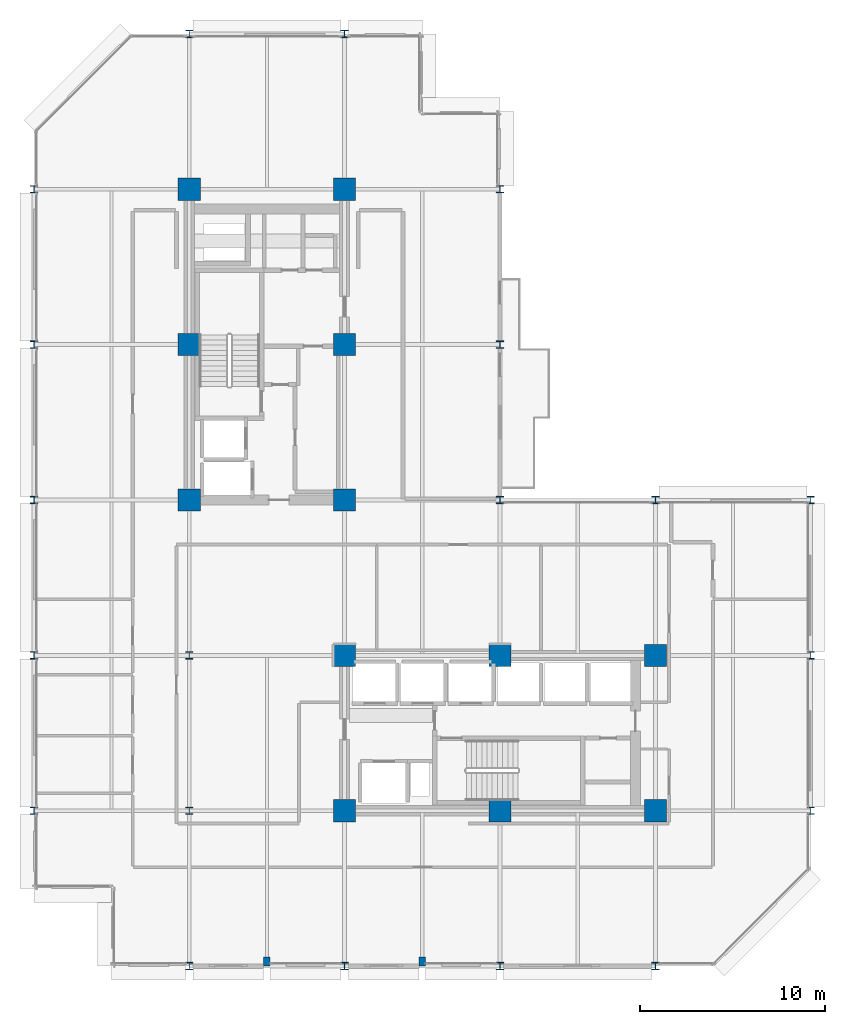
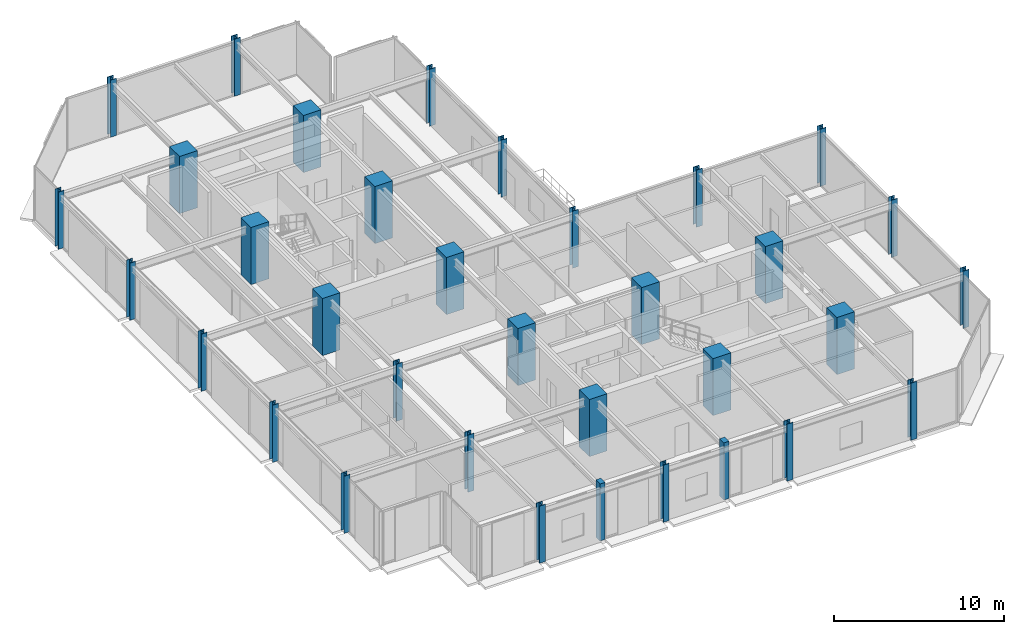
# One storey, part 1 of 30: 34 columns.
"""IFC4 building model written with IfcOpenShell, lengths in metres."""

from ifc_helpers import new_model, si_unit, direction, frame, origin, origin_2d, place, context, subcontext, project, spatial, rectangle, i_section, extrude, material, material_profile, profile_set, type_object, element, save


model = new_model("IFC4")

# Units and contexts
model_context = context("Model", 3, precision=1e-05, world=origin(), true_north=direction((0.0, 1.0)))
body_context = subcontext(model_context, "Body", "Model", "MODEL_VIEW")
ifc_project = project(units=[si_unit("LENGTHUNIT", "METRE"), si_unit("AREAUNIT", "SQUARE_METRE"), si_unit("VOLUMEUNIT", "CUBIC_METRE"), si_unit("PLANEANGLEUNIT", "RADIAN"), si_unit("MASSUNIT", "GRAM", prefix="KILO")], contexts=[model_context])

# Site, building, storey
site_placement = place(None, origin())
site = spatial("IfcSite", under=ifc_project, at=site_placement, CompositionType="ELEMENT")
building_placement = place(site_placement, origin())
building = spatial("IfcBuilding", under=site, at=building_placement, Name="Nerrivon Quay Data Exchange", CompositionType="ELEMENT")
storey_placement = place(building_placement, frame((0.0, 0.0, 141.800048828125)))
storey = spatial("IfcBuildingStorey", under=building, at=storey_placement, Name="L33", CompositionType="ELEMENT", Elevation=141.800048828125)

# Columns
ifc_material_1 = material(Name="Concrete S65 (65 MPa)", Category="concrete")
ifc_material_profile_1 = material_profile(ifc_material_1, rectangle(XDim=1.199951171875, YDim=1.199951171875, at=origin_2d()), Name="RC-COL-1200x1200")
ifc_profile_set_1 = profile_set([ifc_material_profile_1], Name="Concrete S65 (65 MPa)")
column_type_1 = type_object("IfcColumnType", Name="COL-C3-1200", PredefinedType="COLUMN", material=ifc_profile_set_1)
for number, where, z_axis, x_axis, name in (
    (1, (8.39990234375, 25.199951171875, 0.0), (0.0, 0.0, 1.0), (1.0, 0.0, 0.0), "L33 Column (8.4,25.2)"),
    (2, (8.39990234375, 33.60009765625, 0.0), (0.0, 0.0, 1.0), (1.0, 0.0, 0.0), "L33 Column (8.4,33.6)"),
    (3, (8.39990234375, 42.0, 0.0), (0.0, 0.0, 1.0), (1.0, 0.0, 0.0), "L33 Column (8.4,42.0)"),
    (4, (16.800048828125, 8.39990234375, 0.0), (0.0, 0.0, 1.0), (1.0, 0.0, 0.0), "L33 Column (16.8,8.4)"),
    (5, (16.800048828125, 16.800048828125, 0.0), (0.0, 0.0, 1.0), (1.0, 0.0, 0.0), "L33 Column (16.8,16.8)"),
    (6, (16.800048828125, 25.199951171875, 0.0), (0.0, 0.0, 1.0), (1.0, 0.0, 0.0), "L33 Column (16.8,25.2)"),
    (7, (16.800048828125, 33.60009765625, 0.0), (0.0, 0.0, 1.0), (1.0, 0.0, 0.0), "L33 Column (16.8,33.6)"),
    (8, (16.800048828125, 42.0, 0.0), (0.0, 0.0, 1.0), (1.0, 0.0, 0.0), "L33 Column (16.8,42.0)"),
    (9, (25.199951171875, 8.39990234375, 0.0), (0.0, 0.0, 1.0), (1.0, 0.0, 0.0), "L33 Column (25.2,8.4)"),
    (10, (25.199951171875, 16.800048828125, 0.0), (0.0, 0.0, 1.0), (1.0, 0.0, 0.0), "L33 Column (25.2,16.8)"),
    (11, (33.60009765625, 8.39990234375, 0.0), (0.0, 0.0, 1.0), (1.0, 0.0, 0.0), "L33 Column (33.6,8.4)"),
    (12, (33.60009765625, 16.800048828125, 0.0), (0.0, 0.0, 1.0), (1.0, 0.0, 0.0), "L33 Column (33.6,16.8)"),
):
    element("IfcColumn", number, at=place(storey_placement, frame(where, z_axis=z_axis, x_axis=x_axis)), inside=storey, type_object=column_type_1, Name=name, PredefinedType="COLUMN", context=body_context, shape_type="SweptSolid", body=[
        extrude(rectangle(XDim=1.199951171875, YDim=1.199951171875, at=origin_2d()), origin(), (0.0, 0.0, 1.0), 4.099853515625),
    ])
ifc_material_2 = material(Name="Steel Grade 350", Category="steel")
ifc_material_profile_2 = material_profile(ifc_material_2, i_section(OverallWidth=0.39990234375, OverallDepth=0.39990234375, WebThickness=0.02490234375, FlangeThickness=0.0400390625, at=origin_2d()), Name="400WC328")
ifc_profile_set_2 = profile_set([ifc_material_profile_2], Name="Steel Grade 350")
column_type_2 = type_object("IfcColumnType", Name="COL-SC2-400WC", PredefinedType="COLUMN", material=ifc_profile_set_2)
for number, where, z_axis, x_axis, name in (
    (13, (0.0, 8.39990234375, 0.0), (0.0, 0.0, 1.0), (1.0, 0.0, 0.0), "L33 Column (0.0,8.4)"),
    (14, (0.0, 16.800048828125, 0.0), (0.0, 0.0, 1.0), (1.0, 0.0, 0.0), "L33 Column (0.0,16.8)"),
    (15, (0.0, 25.199951171875, 0.0), (0.0, 0.0, 1.0), (1.0, 0.0, 0.0), "L33 Column (0.0,25.2)"),
    (16, (0.0, 33.60009765625, 0.0), (0.0, 0.0, 1.0), (1.0, 0.0, 0.0), "L33 Column (0.0,33.6)"),
    (17, (0.0, 42.0, 0.0), (0.0, 0.0, 1.0), (1.0, 0.0, 0.0), "L33 Column (0.0,42.0)"),
    (18, (8.39990234375, 0.0, 0.0), (0.0, 0.0, 1.0), (1.0, 0.0, 0.0), "L33 Column (8.4,0.0)"),
    (19, (8.39990234375, 8.39990234375, 0.0), (0.0, 0.0, 1.0), (1.0, 0.0, 0.0), "L33 Column (8.4,8.4)"),
    (20, (8.39990234375, 16.800048828125, 0.0), (0.0, 0.0, 1.0), (1.0, 0.0, 0.0), "L33 Column (8.4,16.8)"),
    (21, (8.39990234375, 50.39990234375, 0.0), (0.0, 0.0, 1.0), (1.0, 0.0, 0.0), "L33 Column (8.4,50.4)"),
    (22, (16.800048828125, 0.0, 0.0), (0.0, 0.0, 1.0), (1.0, 0.0, 0.0), "L33 Column (16.8,0.0)"),
    (23, (16.800048828125, 50.39990234375, 0.0), (0.0, 0.0, 1.0), (1.0, 0.0, 0.0), "L33 Column (16.8,50.4)"),
    (24, (25.199951171875, 0.0, 0.0), (0.0, 0.0, 1.0), (1.0, 0.0, 0.0), "L33 Column (25.2,0.0)"),
    (25, (25.199951171875, 25.199951171875, 0.0), (0.0, 0.0, 1.0), (1.0, 0.0, 0.0), "L33 Column (25.2,25.2)"),
    (26, (25.199951171875, 33.60009765625, 0.0), (0.0, 0.0, 1.0), (1.0, 0.0, 0.0), "L33 Column (25.2,33.6)"),
    (27, (25.199951171875, 42.0, 0.0), (0.0, 0.0, 1.0), (1.0, 0.0, 0.0), "L33 Column (25.2,42.0)"),
    (28, (33.60009765625, 0.0, 0.0), (0.0, 0.0, 1.0), (1.0, 0.0, 0.0), "L33 Column (33.6,0.0)"),
    (29, (33.60009765625, 25.199951171875, 0.0), (0.0, 0.0, 1.0), (1.0, 0.0, 0.0), "L33 Column (33.6,25.2)"),
    (30, (42.0, 8.39990234375, 0.0), (0.0, 0.0, 1.0), (1.0, 0.0, 0.0), "L33 Column (42.0,8.4)"),
    (31, (42.0, 16.800048828125, 0.0), (0.0, 0.0, 1.0), (1.0, 0.0, 0.0), "L33 Column (42.0,16.8)"),
    (32, (42.0, 25.199951171875, 0.0), (0.0, 0.0, 1.0), (1.0, 0.0, 0.0), "L33 Column (42.0,25.2)"),
):
    element("IfcColumn", number, at=place(storey_placement, frame(where, z_axis=z_axis, x_axis=x_axis)), inside=storey, type_object=column_type_2, Name=name, PredefinedType="COLUMN", context=body_context, shape_type="SweptSolid", body=[
        extrude(i_section(OverallWidth=0.39990234375, OverallDepth=0.39990234375, WebThickness=0.02490234375, FlangeThickness=0.0400390625, at=origin_2d()), origin(), (0.0, 0.0, 1.0), 4.099853515625),
    ])
ifc_material_3 = material(Name="Concrete N50 (50 MPa)", Category="concrete")
ifc_material_profile_3 = material_profile(ifc_material_3, rectangle(XDim=0.35009765625, YDim=0.5, at=origin_2d()), Name="RC-PIL-500x350")
ifc_profile_set_3 = profile_set([ifc_material_profile_3], Name="Concrete N50 (50 MPa)")
column_type_3 = type_object("IfcColumnType", Name="PIL-P2-500x350", PredefinedType="PILASTER", material=ifc_profile_set_3)
for number, where, z_axis, x_axis, name in (
    (33, (12.60009765625, 0.25, 0.0), (0.0, 0.0, 1.0), (1.0, 0.0, 0.0), "L33 Facade Pilaster (12.6)"),
    (34, (21.0, 0.25, 0.0), (0.0, 0.0, 1.0), (1.0, 0.0, 0.0), "L33 Facade Pilaster (21.0)"),
):
    element("IfcColumn", number, at=place(storey_placement, frame(where, z_axis=z_axis, x_axis=x_axis)), inside=storey, type_object=column_type_3, Name=name, PredefinedType="PILASTER", context=body_context, shape_type="SweptSolid", body=[
        extrude(rectangle(XDim=0.35009765625, YDim=0.5, at=origin_2d()), origin(), (0.0, 0.0, 1.0), 4.099853515625),
    ])

save(model, "model.ifc")
